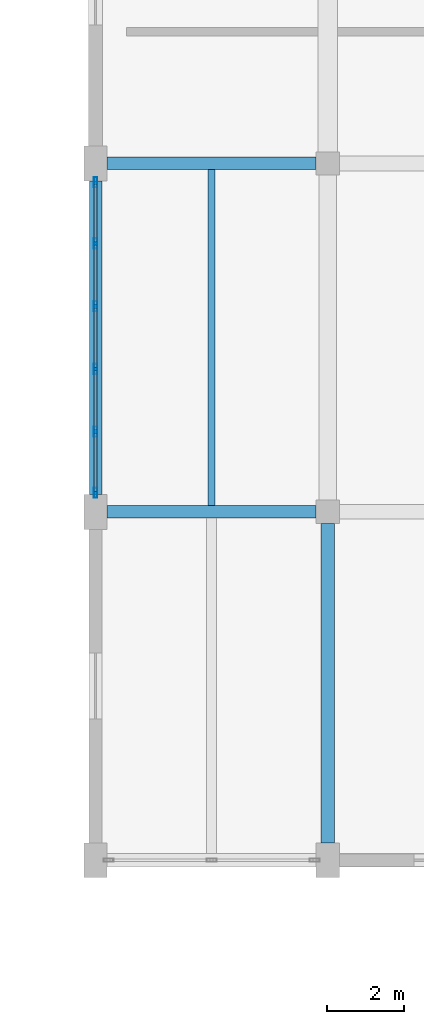
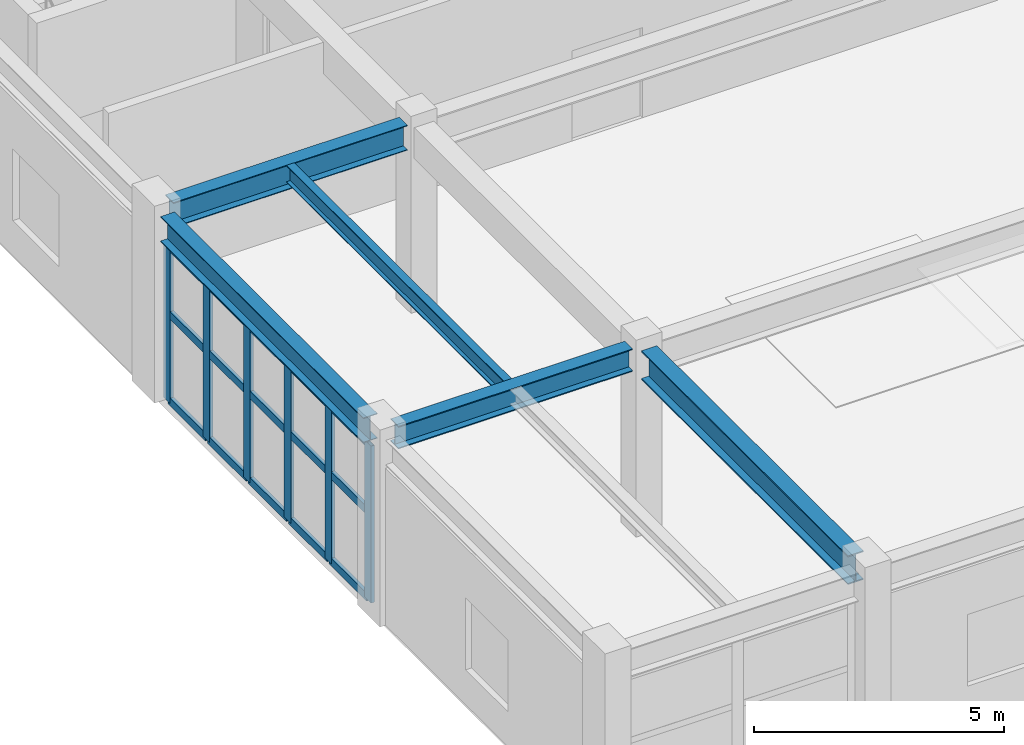
# One storey, part 9 of 85: 21 members, 5 beams, 1 element without a shape of its own.
"""IFC4 building model written with IfcOpenShell, lengths in metres."""

from ifc_helpers import new_model, si_unit, direction, frame, origin, origin_2d, place, context, subcontext, project, spatial, hollow_rectangle, i_section, extrude, material, layer, layer_set, material_profile, profile_set, type_object, element, aggregate, save


model = new_model("IFC4")

# Units and contexts
model_context = context("Model", 3, precision=1e-05, world=origin(), true_north=direction((0.0, 1.0)))
body_context = subcontext(model_context, "Body", "Model", "MODEL_VIEW")
ifc_project = project(units=[si_unit("LENGTHUNIT", "METRE"), si_unit("AREAUNIT", "SQUARE_METRE"), si_unit("VOLUMEUNIT", "CUBIC_METRE"), si_unit("PLANEANGLEUNIT", "RADIAN"), si_unit("MASSUNIT", "GRAM", prefix="KILO")], contexts=[model_context])

# Site, building, storey
site_placement = place(None, origin())
site = spatial("IfcSite", under=ifc_project, at=site_placement, CompositionType="ELEMENT")
building_placement = place(site_placement, origin())
building = spatial("IfcBuilding", under=site, at=building_placement, Name="Vaelkrest Opera House", CompositionType="ELEMENT")
storey_placement = place(building_placement, frame((0.0, 0.0, 10.199951171875)))
storey = spatial("IfcBuildingStorey", under=building, at=storey_placement, Name="L02", CompositionType="ELEMENT", Elevation=10.199951171875)

# Beams
ifc_material_1 = material(Name="Steel A992 Gr50", Category="steel")
ifc_material_profile_1 = material_profile(ifc_material_1, i_section(OverallWidth=0.323974609375, OverallDepth=0.611083984375, WebThickness=0.0126953125, FlangeThickness=0.01904296875, at=origin_2d()), Name="W24X104")
ifc_profile_set_1 = profile_set([ifc_material_profile_1], Name="Steel A992 Gr50")
beam_type_1 = type_object("IfcBeamType", Name="B08", PredefinedType="BEAM", material=ifc_profile_set_1)
beam_1_placement = place(storey_placement, frame((-75.300048828125, 1.199951171875, 4.199462890625), z_axis=(1.0, 0.0, 0.0), x_axis=(0.0, 1.0, 0.0)))
element("IfcBeam", 1, at=beam_1_placement, inside=storey, type_object=beam_type_1, Name="Beam BM-V3-L02-1633", PredefinedType="BEAM", context=body_context, shape_type="SweptSolid", body=[
    extrude(i_section(OverallWidth=0.323974609375, OverallDepth=0.611083984375, WebThickness=0.0126953125, FlangeThickness=0.01904296875, at=origin_2d()), origin(), (0.0, 0.0, 1.0), 5.400146484375),
])
ifc_material_profile_2 = material_profile(ifc_material_1, i_section(OverallWidth=0.35791015625, OverallDepth=0.7060546875, WebThickness=0.018310546875, FlangeThickness=0.0302734375, at=origin_2d()), Name="W27X178")
ifc_profile_set_2 = profile_set([ifc_material_profile_2], Name="Steel A992 Gr50")
beam_type_2 = type_object("IfcBeamType", Name="B14", PredefinedType="BEAM", material=ifc_profile_set_2)
beam_2_placement = place(storey_placement, frame((-69.60009765625, -16.35009765625, 4.152099609375), z_axis=(0.0, 1.0, 0.0), x_axis=(-1.0, 0.0, 0.0)))
element("IfcBeam", 2, at=beam_2_placement, inside=storey, type_object=beam_type_2, Name="Beam BM-V3-L02-1670", PredefinedType="BEAM", context=body_context, shape_type="SweptSolid", body=[
    extrude(i_section(OverallWidth=0.35791015625, OverallDepth=0.7060546875, WebThickness=0.018310546875, FlangeThickness=0.0302734375, at=origin_2d()), origin(), (0.0, 0.0, 1.0), 8.25),
])
ifc_material_profile_3 = material_profile(ifc_material_1, i_section(OverallWidth=0.31494140625, OverallDepth=0.551025390625, WebThickness=0.01513671875, FlangeThickness=0.0244140625, at=origin_2d()), Name="W21X122")
ifc_profile_set_3 = profile_set([ifc_material_profile_3], Name="Steel A992 Gr50")
beam_type_3 = type_object("IfcBeamType", Name="B20", PredefinedType="BEAM", material=ifc_profile_set_3)
beam_3_placement = place(storey_placement, frame((-75.300048828125, -7.800048828125, 4.2294921875), z_axis=(1.0, 0.0, 0.0), x_axis=(0.0, 1.0, 0.0)))
element("IfcBeam", 3, at=beam_3_placement, inside=storey, type_object=beam_type_3, Name="Beam BM-V3-L02-1628", PredefinedType="BEAM", context=body_context, shape_type="SweptSolid", body=[
    extrude(i_section(OverallWidth=0.31494140625, OverallDepth=0.551025390625, WebThickness=0.01513671875, FlangeThickness=0.0244140625, at=origin_2d()), origin(), (0.0, 0.0, 1.0), 5.400146484375),
])

# Curtain wall, members
ifc_material_2 = material(Name="Dark bronze anodized aluminium", Category="aluminium")
ifc_layer = layer(ifc_material_2, 0.2099609375)
ifc_layer_set = layer_set([ifc_layer], Name="Dark bronze anodized aluminium")
curtain_wall_type = type_object("IfcCurtainWallType", Name="CW04", PredefinedType="NOTDEFINED", material=ifc_layer_set)
curtain_wall_placement = place(storey_placement, origin())
curtain_wall = element("IfcCurtainWall", 4, at=curtain_wall_placement, inside=storey, type_object=curtain_wall_type, Name="Curtain wall CW-L02-116", PredefinedType="NOTDEFINED")
ifc_material_profile_4 = material_profile(ifc_material_2, hollow_rectangle(XDim=0.080078125, YDim=0.260009765625, WallThickness=0.0048828125, at=origin_2d()), Name="CWM80X260")
ifc_profile_set_4 = profile_set([ifc_material_profile_4], Name="Dark bronze anodized aluminium")
member_type_1 = type_object("IfcMemberType", Name="CWM04", PredefinedType="MULLION", material=ifc_profile_set_4)
member_1_placement = place(storey_placement, frame((-75.60009765625, -7.31201171875, 0.0), z_axis=(0.0, 0.0, 1.0), x_axis=(-1.0, 0.0, 0.0)))
member_1 = element("IfcMember", 5, at=member_1_placement, type_object=member_type_1, Name="CW04 mullion 1", PredefinedType="MULLION", context=body_context, shape_type="SweptSolid", body=[
    extrude(hollow_rectangle(XDim=0.080078125, YDim=0.260009765625, WallThickness=0.0048828125, at=origin_2d()), origin(), (0.0, 0.0, 1.0), 3.8291015625),
])
member_2_placement = place(storey_placement, frame((-75.60009765625, -5.731201171875, 0.0), z_axis=(0.0, 0.0, 1.0), x_axis=(-1.0, 0.0, 0.0)))
member_2 = element("IfcMember", 6, at=member_2_placement, type_object=member_type_1, Name="CW04 mullion 2", PredefinedType="MULLION", context=body_context, shape_type="SweptSolid", body=[
    extrude(hollow_rectangle(XDim=0.080078125, YDim=0.260009765625, WallThickness=0.0048828125, at=origin_2d()), origin(), (0.0, 0.0, 1.0), 3.8291015625),
])
member_3_placement = place(storey_placement, frame((-75.60009765625, -4.1103515625, 0.0), z_axis=(0.0, 0.0, 1.0), x_axis=(-1.0, 0.0, 0.0)))
member_3 = element("IfcMember", 7, at=member_3_placement, type_object=member_type_1, Name="CW04 mullion 3", PredefinedType="MULLION", context=body_context, shape_type="SweptSolid", body=[
    extrude(hollow_rectangle(XDim=0.080078125, YDim=0.260009765625, WallThickness=0.0048828125, at=origin_2d()), origin(), (0.0, 0.0, 1.0), 3.8291015625),
])
member_4_placement = place(storey_placement, frame((-75.60009765625, -2.489501953125, 0.0), z_axis=(0.0, 0.0, 1.0), x_axis=(-1.0, 0.0, 0.0)))
member_4 = element("IfcMember", 8, at=member_4_placement, type_object=member_type_1, Name="CW04 mullion 4", PredefinedType="MULLION", context=body_context, shape_type="SweptSolid", body=[
    extrude(hollow_rectangle(XDim=0.080078125, YDim=0.260009765625, WallThickness=0.0048828125, at=origin_2d()), origin(), (0.0, 0.0, 1.0), 3.8291015625),
])
member_5_placement = place(storey_placement, frame((-75.60009765625, -0.868896484375, 0.0), z_axis=(0.0, 0.0, 1.0), x_axis=(-1.0, 0.0, 0.0)))
member_5 = element("IfcMember", 9, at=member_5_placement, type_object=member_type_1, Name="CW04 mullion 5", PredefinedType="MULLION", context=body_context, shape_type="SweptSolid", body=[
    extrude(hollow_rectangle(XDim=0.080078125, YDim=0.260009765625, WallThickness=0.0048828125, at=origin_2d()), origin(), (0.0, 0.0, 1.0), 3.8291015625),
])
member_6_placement = place(storey_placement, frame((-75.60009765625, 0.7119140625, 0.0), z_axis=(0.0, 0.0, 1.0), x_axis=(-1.0, 0.0, 0.0)))
member_6 = element("IfcMember", 10, at=member_6_placement, type_object=member_type_1, Name="CW04 mullion 6", PredefinedType="MULLION", context=body_context, shape_type="SweptSolid", body=[
    extrude(hollow_rectangle(XDim=0.080078125, YDim=0.260009765625, WallThickness=0.0048828125, at=origin_2d()), origin(), (0.0, 0.0, 1.0), 3.8291015625),
])
ifc_material_profile_5 = material_profile(ifc_material_2, hollow_rectangle(XDim=0.080078125, YDim=0.18994140625, WallThickness=0.0048828125, at=origin_2d()), Name="CWT80X190")
ifc_profile_set_5 = profile_set([ifc_material_profile_5], Name="Dark bronze anodized aluminium")
member_type_2 = type_object("IfcMemberType", Name="CWT04", PredefinedType="USERDEFINED", material=ifc_profile_set_5)
member_7_placement = place(storey_placement, frame((-75.60009765625, -7.27197265625, 0.0400390625), z_axis=(0.0, 1.0, 0.0), x_axis=(-1.0, 0.0, 0.0)))
member_7 = element("IfcMember", 11, at=member_7_placement, type_object=member_type_2, Name="CW04 transom 1.1", ObjectType="TRANSOM", PredefinedType="USERDEFINED", context=body_context, shape_type="SweptSolid", body=[
    extrude(hollow_rectangle(XDim=0.080078125, YDim=0.18994140625, WallThickness=0.0048828125, at=origin_2d()), origin(), (0.0, 0.0, 1.0), 1.500732421875),
])
member_8_placement = place(storey_placement, frame((-75.60009765625, -7.27197265625, 2.150146484375), z_axis=(0.0, 1.0, 0.0), x_axis=(-1.0, 0.0, 0.0)))
member_8 = element("IfcMember", 12, at=member_8_placement, type_object=member_type_2, Name="CW04 transom 1.2", ObjectType="TRANSOM", PredefinedType="USERDEFINED", context=body_context, shape_type="SweptSolid", body=[
    extrude(hollow_rectangle(XDim=0.080078125, YDim=0.18994140625, WallThickness=0.0048828125, at=origin_2d()), origin(), (0.0, 0.0, 1.0), 1.500732421875),
])
member_9_placement = place(storey_placement, frame((-75.60009765625, -7.27197265625, 3.7890625), z_axis=(0.0, 1.0, 0.0), x_axis=(-1.0, 0.0, 0.0)))
member_9 = element("IfcMember", 13, at=member_9_placement, type_object=member_type_2, Name="CW04 transom 1.3", ObjectType="TRANSOM", PredefinedType="USERDEFINED", context=body_context, shape_type="SweptSolid", body=[
    extrude(hollow_rectangle(XDim=0.080078125, YDim=0.18994140625, WallThickness=0.0048828125, at=origin_2d()), origin(), (0.0, 0.0, 1.0), 1.500732421875),
])
member_10_placement = place(storey_placement, frame((-75.60009765625, -5.691162109375, 0.0400390625), z_axis=(0.0, 1.0, 0.0), x_axis=(-1.0, 0.0, 0.0)))
member_10 = element("IfcMember", 14, at=member_10_placement, type_object=member_type_2, Name="CW04 transom 2.1", ObjectType="TRANSOM", PredefinedType="USERDEFINED", context=body_context, shape_type="SweptSolid", body=[
    extrude(hollow_rectangle(XDim=0.080078125, YDim=0.18994140625, WallThickness=0.0048828125, at=origin_2d()), origin(), (0.0, 0.0, 1.0), 1.540771484375),
])
member_11_placement = place(storey_placement, frame((-75.60009765625, -5.691162109375, 2.150146484375), z_axis=(0.0, 1.0, 0.0), x_axis=(-1.0, 0.0, 0.0)))
member_11 = element("IfcMember", 15, at=member_11_placement, type_object=member_type_2, Name="CW04 transom 2.2", ObjectType="TRANSOM", PredefinedType="USERDEFINED", context=body_context, shape_type="SweptSolid", body=[
    extrude(hollow_rectangle(XDim=0.080078125, YDim=0.18994140625, WallThickness=0.0048828125, at=origin_2d()), origin(), (0.0, 0.0, 1.0), 1.540771484375),
])
member_12_placement = place(storey_placement, frame((-75.60009765625, -5.691162109375, 3.7890625), z_axis=(0.0, 1.0, 0.0), x_axis=(-1.0, 0.0, 0.0)))
member_12 = element("IfcMember", 16, at=member_12_placement, type_object=member_type_2, Name="CW04 transom 2.3", ObjectType="TRANSOM", PredefinedType="USERDEFINED", context=body_context, shape_type="SweptSolid", body=[
    extrude(hollow_rectangle(XDim=0.080078125, YDim=0.18994140625, WallThickness=0.0048828125, at=origin_2d()), origin(), (0.0, 0.0, 1.0), 1.540771484375),
])
member_13_placement = place(storey_placement, frame((-75.60009765625, -4.0703125, 0.0400390625), z_axis=(0.0, 1.0, 0.0), x_axis=(-1.0, 0.0, 0.0)))
member_13 = element("IfcMember", 17, at=member_13_placement, type_object=member_type_2, Name="CW04 transom 3.1", ObjectType="TRANSOM", PredefinedType="USERDEFINED", context=body_context, shape_type="SweptSolid", body=[
    extrude(hollow_rectangle(XDim=0.080078125, YDim=0.18994140625, WallThickness=0.0048828125, at=origin_2d()), origin(), (0.0, 0.0, 1.0), 1.540771484375),
])
member_14_placement = place(storey_placement, frame((-75.60009765625, -4.0703125, 2.150146484375), z_axis=(0.0, 1.0, 0.0), x_axis=(-1.0, 0.0, 0.0)))
member_14 = element("IfcMember", 18, at=member_14_placement, type_object=member_type_2, Name="CW04 transom 3.2", ObjectType="TRANSOM", PredefinedType="USERDEFINED", context=body_context, shape_type="SweptSolid", body=[
    extrude(hollow_rectangle(XDim=0.080078125, YDim=0.18994140625, WallThickness=0.0048828125, at=origin_2d()), origin(), (0.0, 0.0, 1.0), 1.540771484375),
])
member_15_placement = place(storey_placement, frame((-75.60009765625, -4.0703125, 3.7890625), z_axis=(0.0, 1.0, 0.0), x_axis=(-1.0, 0.0, 0.0)))
member_15 = element("IfcMember", 19, at=member_15_placement, type_object=member_type_2, Name="CW04 transom 3.3", ObjectType="TRANSOM", PredefinedType="USERDEFINED", context=body_context, shape_type="SweptSolid", body=[
    extrude(hollow_rectangle(XDim=0.080078125, YDim=0.18994140625, WallThickness=0.0048828125, at=origin_2d()), origin(), (0.0, 0.0, 1.0), 1.540771484375),
])
member_16_placement = place(storey_placement, frame((-75.60009765625, -2.44970703125, 0.0400390625), z_axis=(0.0, 1.0, 0.0), x_axis=(-1.0, 0.0, 0.0)))
member_16 = element("IfcMember", 20, at=member_16_placement, type_object=member_type_2, Name="CW04 transom 4.1", ObjectType="TRANSOM", PredefinedType="USERDEFINED", context=body_context, shape_type="SweptSolid", body=[
    extrude(hollow_rectangle(XDim=0.080078125, YDim=0.18994140625, WallThickness=0.0048828125, at=origin_2d()), origin(), (0.0, 0.0, 1.0), 1.541015625),
])
member_17_placement = place(storey_placement, frame((-75.60009765625, -2.44970703125, 2.150146484375), z_axis=(0.0, 1.0, 0.0), x_axis=(-1.0, 0.0, 0.0)))
member_17 = element("IfcMember", 21, at=member_17_placement, type_object=member_type_2, Name="CW04 transom 4.2", ObjectType="TRANSOM", PredefinedType="USERDEFINED", context=body_context, shape_type="SweptSolid", body=[
    extrude(hollow_rectangle(XDim=0.080078125, YDim=0.18994140625, WallThickness=0.0048828125, at=origin_2d()), origin(), (0.0, 0.0, 1.0), 1.541015625),
])
member_18_placement = place(storey_placement, frame((-75.60009765625, -2.44970703125, 3.7890625), z_axis=(0.0, 1.0, 0.0), x_axis=(-1.0, 0.0, 0.0)))
member_18 = element("IfcMember", 22, at=member_18_placement, type_object=member_type_2, Name="CW04 transom 4.3", ObjectType="TRANSOM", PredefinedType="USERDEFINED", context=body_context, shape_type="SweptSolid", body=[
    extrude(hollow_rectangle(XDim=0.080078125, YDim=0.18994140625, WallThickness=0.0048828125, at=origin_2d()), origin(), (0.0, 0.0, 1.0), 1.541015625),
])
member_19_placement = place(storey_placement, frame((-75.60009765625, -0.828857421875, 0.0400390625), z_axis=(0.0, 1.0, 0.0), x_axis=(-1.0, 0.0, 0.0)))
member_19 = element("IfcMember", 23, at=member_19_placement, type_object=member_type_2, Name="CW04 transom 5.1", ObjectType="TRANSOM", PredefinedType="USERDEFINED", context=body_context, shape_type="SweptSolid", body=[
    extrude(hollow_rectangle(XDim=0.080078125, YDim=0.18994140625, WallThickness=0.0048828125, at=origin_2d()), origin(), (0.0, 0.0, 1.0), 1.5009765625),
])
member_20_placement = place(storey_placement, frame((-75.60009765625, -0.828857421875, 2.150146484375), z_axis=(0.0, 1.0, 0.0), x_axis=(-1.0, 0.0, 0.0)))
member_20 = element("IfcMember", 24, at=member_20_placement, type_object=member_type_2, Name="CW04 transom 5.2", ObjectType="TRANSOM", PredefinedType="USERDEFINED", context=body_context, shape_type="SweptSolid", body=[
    extrude(hollow_rectangle(XDim=0.080078125, YDim=0.18994140625, WallThickness=0.0048828125, at=origin_2d()), origin(), (0.0, 0.0, 1.0), 1.5009765625),
])
member_21_placement = place(storey_placement, frame((-75.60009765625, -0.828857421875, 3.7890625), z_axis=(0.0, 1.0, 0.0), x_axis=(-1.0, 0.0, 0.0)))
member_21 = element("IfcMember", 25, at=member_21_placement, type_object=member_type_2, Name="CW04 transom 5.3", ObjectType="TRANSOM", PredefinedType="USERDEFINED", context=body_context, shape_type="SweptSolid", body=[
    extrude(hollow_rectangle(XDim=0.080078125, YDim=0.18994140625, WallThickness=0.0048828125, at=origin_2d()), origin(), (0.0, 0.0, 1.0), 1.5009765625),
])
aggregate(curtain_wall, [member_1, member_2, member_3, member_4, member_5, member_6, member_7, member_8, member_9, member_10, member_11, member_12, member_13, member_14, member_15, member_16, member_17, member_18, member_19, member_20, member_21])

# Beams
ifc_material_profile_6 = material_profile(ifc_material_1, i_section(OverallWidth=0.180908203125, OverallDepth=0.4169921875, WebThickness=0.010986328125, FlangeThickness=0.018310546875, at=origin_2d()), Name="W16X57")
ifc_profile_set_6 = profile_set([ifc_material_profile_6], Name="Steel A992 Gr50")
beam_type_4 = type_object("IfcBeamType", Name="J07", PredefinedType="JOIST", material=ifc_profile_set_6)
beam_4_placement = place(storey_placement, frame((-72.60009765625, -7.642578125, 4.296630859375), z_axis=(0.0, 1.0, 0.0), x_axis=(-1.0, 0.0, 0.0)))
element("IfcBeam", 26, at=beam_4_placement, inside=storey, type_object=beam_type_4, Name="Floor joist JST-V3-L02-1707", PredefinedType="JOIST", context=body_context, shape_type="SweptSolid", body=[
    extrude(i_section(OverallWidth=0.180908203125, OverallDepth=0.4169921875, WebThickness=0.010986328125, FlangeThickness=0.018310546875, at=origin_2d()), origin(), (0.0, 0.0, 1.0), 8.6806640625),
])
ifc_material_profile_7 = material_profile(ifc_material_1, i_section(OverallWidth=0.323974609375, OverallDepth=0.611083984375, WebThickness=0.0126953125, FlangeThickness=0.01904296875, at=origin_2d()), Name="W24X104")
ifc_profile_set_7 = profile_set([ifc_material_profile_7], Name="Steel A992 Gr50")
beam_type_5 = type_object("IfcBeamType", Name="SP01", PredefinedType="SPANDREL", material=ifc_profile_set_7)
beam_5_placement = place(storey_placement, frame((-75.60009765625, -7.35009765625, 4.199462890625), z_axis=(0.0, 1.0, 0.0), x_axis=(-1.0, 0.0, 0.0)))
element("IfcBeam", 27, at=beam_5_placement, inside=storey, type_object=beam_type_5, Name="Beam BM-V3-L02-1665", PredefinedType="SPANDREL", context=body_context, shape_type="SweptSolid", body=[
    extrude(i_section(OverallWidth=0.323974609375, OverallDepth=0.611083984375, WebThickness=0.0126953125, FlangeThickness=0.01904296875, at=origin_2d()), origin(), (0.0, 0.0, 1.0), 8.10009765625),
])

save(model, "model.ifc")
